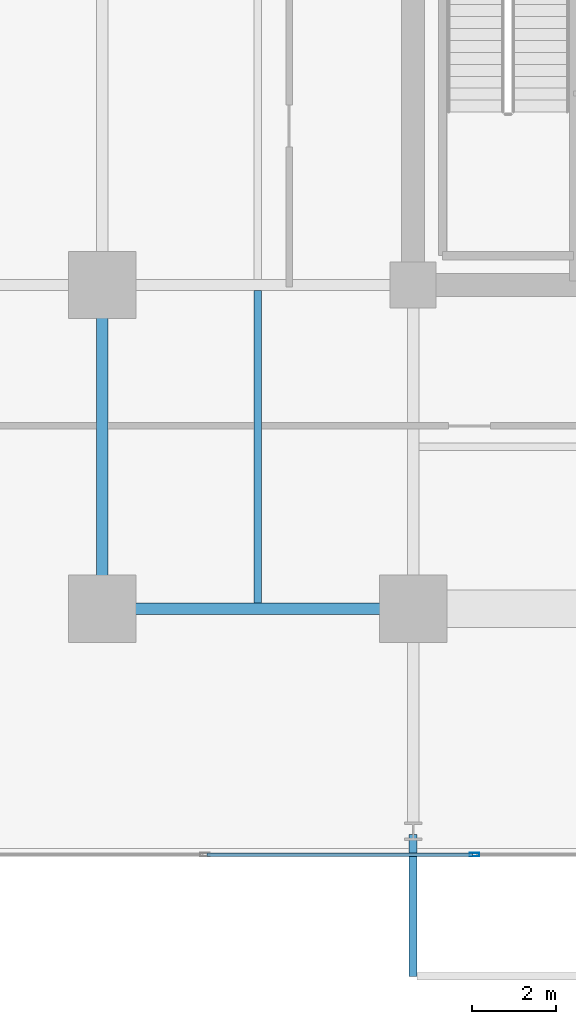
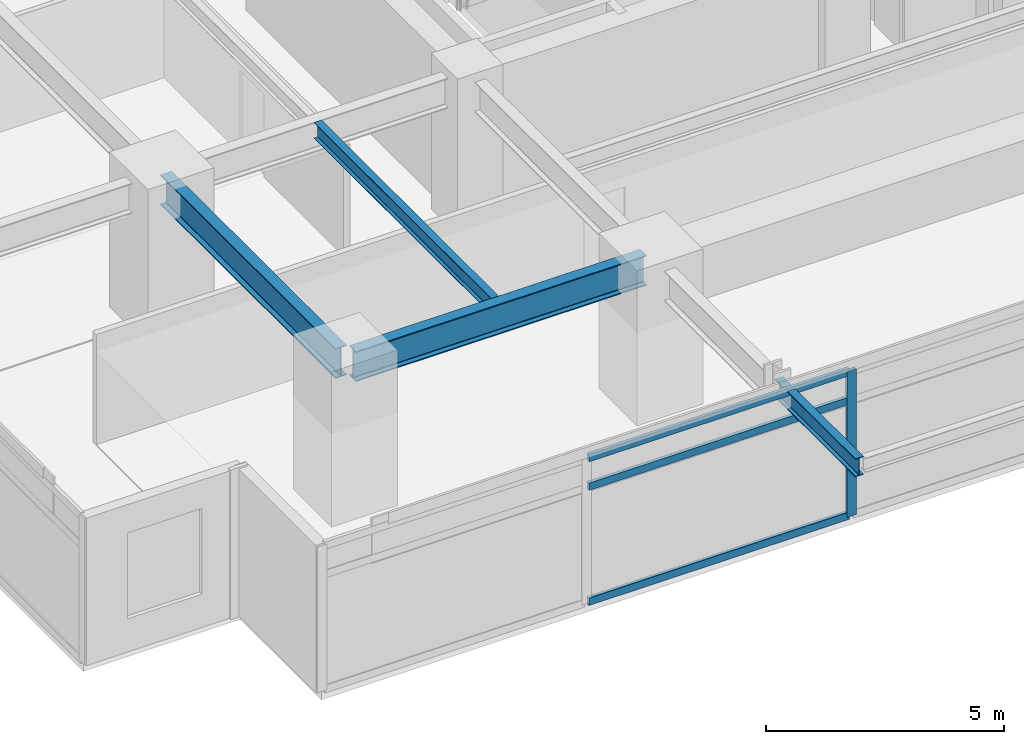
# One storey, part 3 of 24: 4 beams, 4 members, 1 element without a shape of its own.
"""IFC4 building model written with IfcOpenShell, lengths in metres."""

from ifc_helpers import new_model, si_unit, direction, frame, origin, origin_2d, place, context, subcontext, project, spatial, hollow_rectangle, i_section, extrude, material, material_profile, profile_set, type_object, element, aggregate, save


model = new_model("IFC4")

# Units and contexts
model_context = context("Model", 3, precision=1e-05, world=origin(), true_north=direction((0.0, 1.0)))
body_context = subcontext(model_context, "Body", "Model", "MODEL_VIEW")
ifc_project = project(units=[si_unit("LENGTHUNIT", "METRE"), si_unit("AREAUNIT", "SQUARE_METRE"), si_unit("VOLUMEUNIT", "CUBIC_METRE"), si_unit("PLANEANGLEUNIT", "RADIAN"), si_unit("MASSUNIT", "GRAM", prefix="KILO")], contexts=[model_context])

# Site, building, storey
site_placement = place(None, origin())
site = spatial("IfcSite", under=ifc_project, at=site_placement, CompositionType="ELEMENT")
building_placement = place(site_placement, origin())
building = spatial("IfcBuilding", under=site, at=building_placement, Name="Kovane Verandah Tower", CompositionType="ELEMENT")
storey_placement = place(building_placement, frame((0.0, 0.0, 132.39990234375)))
storey = spatial("IfcBuildingStorey", under=building, at=storey_placement, Name="L30", CompositionType="ELEMENT", Elevation=132.39990234375)

# Beams
ifc_material_1 = material(Name="Steel S355", Category="steel")
ifc_material_profile_1 = material_profile(ifc_material_1, i_section(OverallWidth=0.26806640625, OverallDepth=0.769775390625, WebThickness=0.015625, FlangeThickness=0.025390625, FilletRadius=0.0166015625, at=origin_2d()), Name="UB762x267x197")
ifc_profile_set_1 = profile_set([ifc_material_profile_1], Name="Steel S355")
beam_type_1 = type_object("IfcBeamType", Name="BM-UB762x197", PredefinedType="BEAM", material=ifc_profile_set_1)
beam_1_placement = place(storey_placement, frame((21.780029296875, 10.800048828125, 3.39013671875), z_axis=(1.0, 0.0, 0.0), x_axis=(0.0, 1.0, 0.0)))
element("IfcBeam", 1, at=beam_1_placement, inside=storey, type_object=beam_type_1, Name="L30 Primary Tower Girder G-RS1", PredefinedType="BEAM", context=body_context, shape_type="SweptSolid", body=[
    extrude(i_section(OverallWidth=0.26806640625, OverallDepth=0.769775390625, WebThickness=0.015625, FlangeThickness=0.025390625, FilletRadius=0.0166015625, at=origin_2d()), origin(), (0.0, 0.0, 1.0), 7.0400390625),
])
beam_2_placement = place(storey_placement, frame((21.60009765625, 10.97998046875, 3.39013671875), z_axis=(0.0, 1.0, 0.0), x_axis=(-1.0, 0.0, 0.0)))
element("IfcBeam", 2, at=beam_2_placement, inside=storey, type_object=beam_type_1, Name="L30 Primary Tower Girder G-RW1", PredefinedType="BEAM", context=body_context, shape_type="SweptSolid", body=[
    extrude(i_section(OverallWidth=0.26806640625, OverallDepth=0.769775390625, WebThickness=0.015625, FlangeThickness=0.025390625, FilletRadius=0.0166015625, at=origin_2d()), origin(), (0.0, 0.0, 1.0), 7.340087890625),
])

# Curtain wall, members
ifc_material_2 = material(Name="Champagne Anodised Aluminium Frame with Low-E Clear Laminated Glass", Category="aluminium")
curtain_wall_type = type_object("IfcCurtainWallType", Name="CW-SYS-03-MID", PredefinedType="NOTDEFINED", material=ifc_material_2)
curtain_wall_placement = place(storey_placement, origin())
curtain_wall = element("IfcCurtainWall", 3, at=curtain_wall_placement, inside=storey, type_object=curtain_wall_type, Name="L30 S Unitised Curtain Wall", PredefinedType="NOTDEFINED")
ifc_material_3 = material(Name="Champagne Anodised Aluminium 6063-T6", Category="aluminium")
ifc_material_profile_2 = material_profile(ifc_material_3, hollow_rectangle(XDim=0.0849609375, YDim=0.22998046875, WallThickness=0.00390625, at=origin_2d()), Name="AL85x230x4")
ifc_profile_set_2 = profile_set([ifc_material_profile_2], Name="Champagne Anodised Aluminium 6063-T6")
member_type_1 = type_object("IfcMemberType", Name="CW-MUL-85x230", PredefinedType="MULLION", material=ifc_profile_set_2)
member_1_placement = place(storey_placement, frame((30.45947265625, 4.9462890625, 0.02001953125), z_axis=(0.0, 0.0, 1.0), x_axis=(0.0, -1.0, 0.0)))
member_1 = element("IfcMember", 4, at=member_1_placement, type_object=member_type_1, Name="L30 S Unitised Curtain Wall Mullion 3", PredefinedType="MULLION", context=body_context, shape_type="SweptSolid", body=[
    extrude(hollow_rectangle(XDim=0.0849609375, YDim=0.22998046875, WallThickness=0.00390625, at=origin_2d()), origin(), (0.0, 0.0, 1.0), 3.735107421875),
])
ifc_material_profile_3 = material_profile(ifc_material_3, hollow_rectangle(XDim=0.0849609375, YDim=0.18994140625, WallThickness=0.00390625, at=origin_2d()), Name="AL85x190x4")
ifc_profile_set_3 = profile_set([ifc_material_profile_3], Name="Champagne Anodised Aluminium 6063-T6")
member_type_2 = type_object("IfcMemberType", Name="CW-TRN-85x190", PredefinedType="USERDEFINED", material=ifc_profile_set_3)
member_2_placement = place(storey_placement, frame((24.098388671875, 4.9462890625, 0.050048828125), z_axis=(1.0, 0.0, 0.0), x_axis=(0.0, 1.0, 0.0)))
member_2 = element("IfcMember", 5, at=member_2_placement, type_object=member_type_2, Name="L30 S Unitised Curtain Wall Transom TB Bay 2", ObjectType="TRANSOM", PredefinedType="USERDEFINED", context=body_context, shape_type="SweptSolid", body=[
    extrude(hollow_rectangle(XDim=0.0849609375, YDim=0.18994140625, WallThickness=0.00390625, at=origin_2d()), origin(), (0.0, 0.0, 1.0), 6.31103515625),
])
member_3_placement = place(storey_placement, frame((24.098388671875, 4.9462890625, 2.9951171875), z_axis=(1.0, 0.0, 0.0), x_axis=(0.0, 1.0, 0.0)))
member_3 = element("IfcMember", 6, at=member_3_placement, type_object=member_type_2, Name="L30 S Unitised Curtain Wall Transom TM Bay 2", ObjectType="TRANSOM", PredefinedType="USERDEFINED", context=body_context, shape_type="SweptSolid", body=[
    extrude(hollow_rectangle(XDim=0.0849609375, YDim=0.18994140625, WallThickness=0.00390625, at=origin_2d()), origin(), (0.0, 0.0, 1.0), 6.31103515625),
])
member_4_placement = place(storey_placement, frame((24.098388671875, 4.9462890625, 3.72509765625), z_axis=(1.0, 0.0, 0.0), x_axis=(0.0, 1.0, 0.0)))
member_4 = element("IfcMember", 7, at=member_4_placement, type_object=member_type_2, Name="L30 S Unitised Curtain Wall Transom TT Bay 2", ObjectType="TRANSOM", PredefinedType="USERDEFINED", context=body_context, shape_type="SweptSolid", body=[
    extrude(hollow_rectangle(XDim=0.0849609375, YDim=0.18994140625, WallThickness=0.00390625, at=origin_2d()), origin(), (0.0, 0.0, 1.0), 6.31103515625),
])
aggregate(curtain_wall, [member_1, member_2, member_3, member_4])

# Beams
ifc_material_profile_4 = material_profile(ifc_material_1, i_section(OverallWidth=0.179443359375, OverallDepth=0.412841796875, WebThickness=0.009521484375, FlangeThickness=0.01611328125, FilletRadius=0.01025390625, at=origin_2d()), Name="UB406x178x74")
ifc_profile_set_4 = profile_set([ifc_material_profile_4], Name="Steel S355")
beam_type_2 = type_object("IfcBeamType", Name="JST-UB406x74", PredefinedType="JOIST", material=ifc_profile_set_4)
beam_3_placement = place(storey_placement, frame((25.300048828125, 10.931884765625, 3.568603515625), z_axis=(0.0, 1.0, 0.0), x_axis=(-1.0, 0.0, 0.0)))
element("IfcBeam", 8, at=beam_3_placement, inside=storey, type_object=beam_type_2, Name="L30 Secondary Composite Joist J-SW1", PredefinedType="JOIST", context=body_context, shape_type="SweptSolid", body=[
    extrude(i_section(OverallWidth=0.179443359375, OverallDepth=0.412841796875, WebThickness=0.009521484375, FlangeThickness=0.01611328125, FilletRadius=0.01025390625, at=origin_2d()), origin(), (0.0, 0.0, 1.0), 7.43603515625),
])
ifc_material_profile_5 = material_profile(ifc_material_1, i_section(OverallWidth=0.19287109375, OverallDepth=0.46728515625, WebThickness=0.011474609375, FlangeThickness=0.01953125, FilletRadius=0.01025390625, at=origin_2d()), Name="UB457x191x98")
ifc_profile_set_5 = profile_set([ifc_material_profile_5], Name="Steel S355")
beam_type_3 = type_object("IfcBeamType", Name="JST-UB457x98", PredefinedType="JOIST", material=ifc_profile_set_5)
beam_4_placement = place(storey_placement, frame((29.0, 5.419921875, 3.526611328125), z_axis=(0.0, -1.0, 0.0), x_axis=(1.0, 0.0, 0.0)))
element("IfcBeam", 9, at=beam_4_placement, inside=storey, type_object=beam_type_3, Name="L30 South Planter Girder 1", PredefinedType="JOIST", context=body_context, shape_type="SweptSolid", body=[
    extrude(i_section(OverallWidth=0.19287109375, OverallDepth=0.46728515625, WebThickness=0.011474609375, FlangeThickness=0.01953125, FilletRadius=0.01025390625, at=origin_2d()), origin(), (0.0, 0.0, 1.0), 3.370361328125),
])

save(model, "model.ifc")
